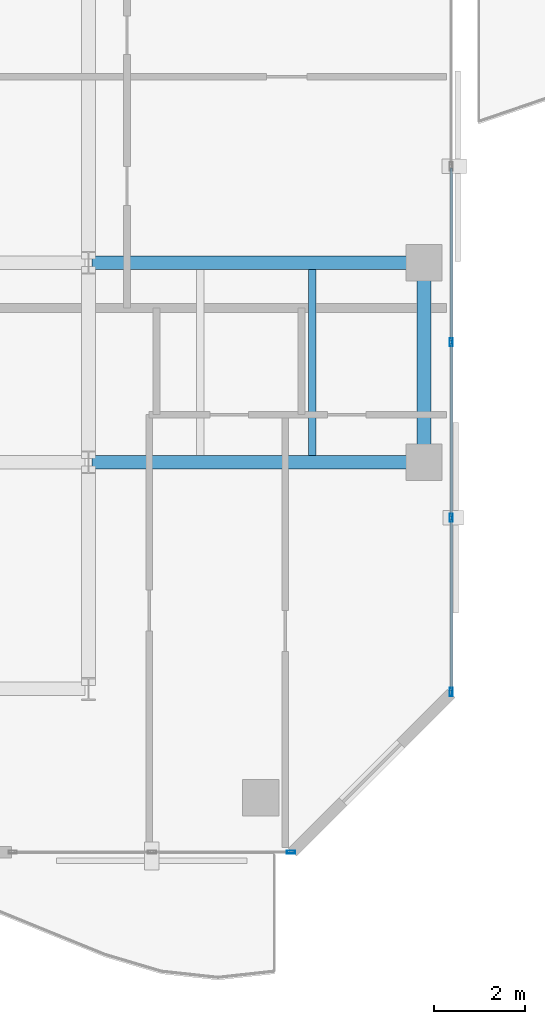
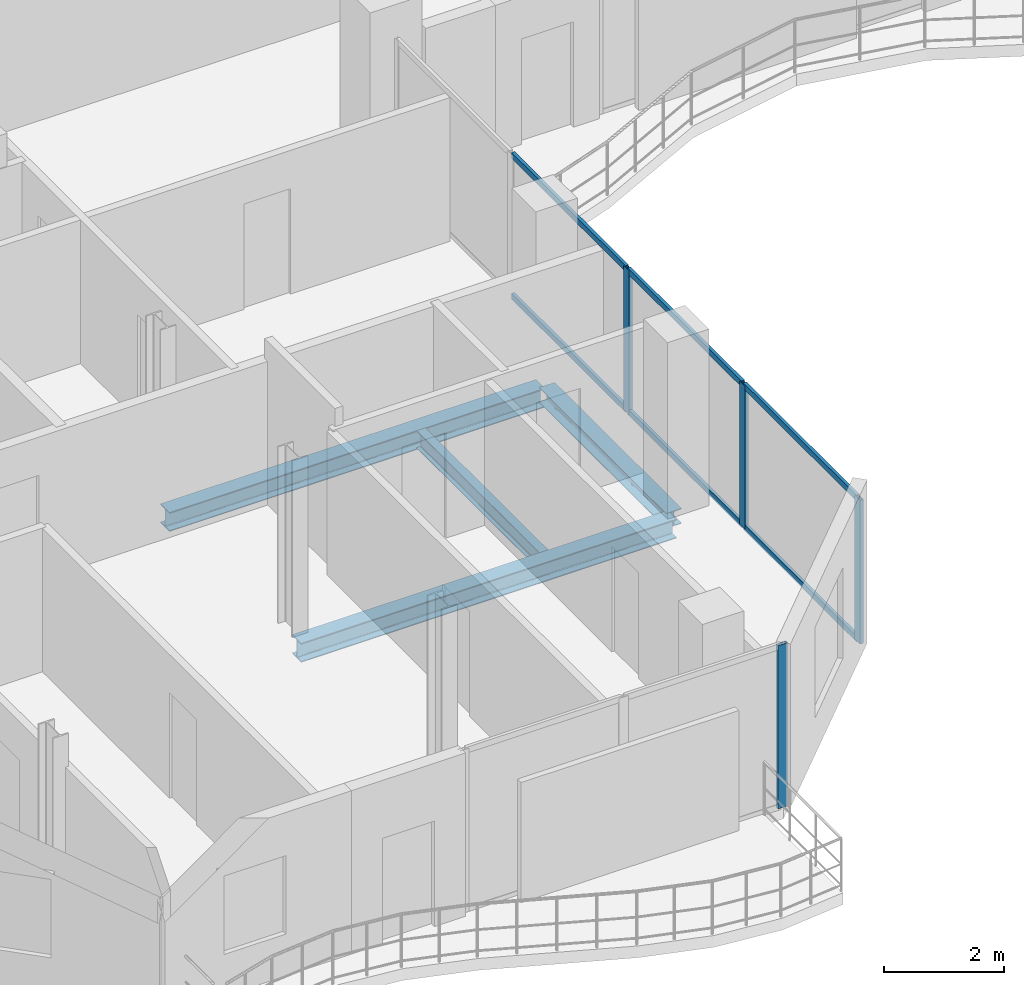
# One storey, part 6 of 23: 10 members, 4 beams, 2 elements without a shape of their own.
"""IFC4 building model written with IfcOpenShell, lengths in metres."""

from ifc_helpers import new_model, si_unit, direction, frame, origin, origin_2d, place, context, subcontext, project, spatial, hollow_rectangle, i_section, extrude, material, layer, layer_set, material_profile, profile_set, type_object, element, aggregate, save


model = new_model("IFC4")

# Units and contexts
model_context = context("Model", 3, precision=1e-05, world=origin(), true_north=direction((0.0, 1.0)))
body_context = subcontext(model_context, "Body", "Model", "MODEL_VIEW")
ifc_project = project(units=[si_unit("LENGTHUNIT", "METRE"), si_unit("AREAUNIT", "SQUARE_METRE"), si_unit("VOLUMEUNIT", "CUBIC_METRE"), si_unit("PLANEANGLEUNIT", "RADIAN"), si_unit("MASSUNIT", "GRAM", prefix="KILO")], contexts=[model_context])

# Site, building, storey
site_placement = place(None, origin())
site = spatial("IfcSite", under=ifc_project, at=site_placement, CompositionType="ELEMENT")
building_placement = place(site_placement, origin())
building = spatial("IfcBuilding", under=site, at=building_placement, Name="Catumbela Crestline Tower", CompositionType="ELEMENT")
storey_placement = place(building_placement, frame((0.0, 0.0, 165.0)))
storey = spatial("IfcBuildingStorey", under=building, at=storey_placement, Name="L42", CompositionType="ELEMENT", Elevation=165.0)

# Beams
ifc_material_1 = material(Name="Structural steel S355J2", Category="steel")
ifc_material_profile_1 = material_profile(ifc_material_1, i_section(OverallWidth=0.3, OverallDepth=0.39, WebThickness=0.011, FlangeThickness=0.019, FilletRadius=0.027, at=origin_2d()), Name="HEA 400")
ifc_profile_set_1 = profile_set([ifc_material_profile_1], Name="Structural steel S355J2")
beam_type_1 = type_object("IfcBeamType", Name="BG-HEA400", PredefinedType="BEAM", material=ifc_profile_set_1)
for number, where, z_axis, x_axis, name in (
    (1, (16.08, 13.6, -0.455), (1.0, 0.0, 0.0), (0.0, 1.0, 0.0), "L42 Beam BM-L42-WEW34"),
    (2, (16.08, 18.0, -0.455), (1.0, 0.0, 0.0), (0.0, 1.0, 0.0), "L42 Beam BM-L42-WEW36"),
):
    element("IfcBeam", number, at=place(storey_placement, frame(where, z_axis=z_axis, x_axis=x_axis)), inside=storey, type_object=beam_type_1, Name=name, PredefinedType="BEAM", context=body_context, shape_type="SweptSolid", body=[
        extrude(i_section(OverallWidth=0.3, OverallDepth=0.39, WebThickness=0.011, FlangeThickness=0.019, FilletRadius=0.027, at=origin_2d()), origin(), (0.0, 0.0, 1.0), 7.24),
    ])
ifc_material_profile_2 = material_profile(ifc_material_1, i_section(OverallWidth=0.17, OverallDepth=0.36, WebThickness=0.008, FlangeThickness=0.0127, FilletRadius=0.018, at=origin_2d()), Name="IPE 360")
ifc_profile_set_2 = profile_set([ifc_material_profile_2], Name="Structural steel S355J2")
beam_type_2 = type_object("IfcBeamType", Name="BJ-IPE360", PredefinedType="JOIST", material=ifc_profile_set_2)
beam_1_placement = place(storey_placement, frame((20.933, 13.747, -0.44), z_axis=(0.0, 1.0, 0.0), x_axis=(-1.0, 0.0, 0.0)))
element("IfcBeam", 3, at=beam_1_placement, inside=storey, type_object=beam_type_2, Name="L42 Joist JS-L42-WG49", PredefinedType="JOIST", context=body_context, shape_type="SweptSolid", body=[
    extrude(i_section(OverallWidth=0.17, OverallDepth=0.36, WebThickness=0.008, FlangeThickness=0.0127, FilletRadius=0.018, at=origin_2d()), origin(), (0.0, 0.0, 1.0), 4.106),
])

# Curtain wall, member
ifc_material_2 = material(Name="Aluminium alloy AW-6060-T66", Category="aluminium")
ifc_layer = layer(ifc_material_2, 0.18, Name="Aluminium alloy AW-6060-T66")
ifc_layer_set = layer_set([ifc_layer], Name="Aluminium alloy AW-6060-T66")
curtain_wall_type = type_object("IfcCurtainWallType", Name="CWU-Z3", PredefinedType="USERDEFINED", material=ifc_layer_set)
curtain_wall_1_placement = place(storey_placement, origin())
curtain_wall_1 = element("IfcCurtainWall", 4, at=curtain_wall_1_placement, inside=storey, type_object=curtain_wall_type, Name="L42 Unitised Curtain Wall CW-L42-E0S2", ObjectType="UNITISED", PredefinedType="USERDEFINED")
ifc_material_profile_3 = material_profile(ifc_material_2, hollow_rectangle(XDim=0.065, YDim=0.18, WallThickness=0.004, at=origin_2d()), Name="ALU 180x65x4")
ifc_profile_set_3 = profile_set([ifc_material_profile_3], Name="Aluminium alloy AW-6060-T66")
member_type_1 = type_object("IfcMemberType", Name="MUL-180X65", PredefinedType="MULLION", material=ifc_profile_set_3)
member_1_placement = place(storey_placement, frame((20.4675, 5.0, 0.0), z_axis=(0.0, 0.0, 1.0), x_axis=(0.0, 1.0, 0.0)))
member_1 = element("IfcMember", 5, at=member_1_placement, type_object=member_type_1, Name="CWU-Z3 mullion 3", PredefinedType="MULLION", context=body_context, shape_type="SweptSolid", body=[
    extrude(hollow_rectangle(XDim=0.065, YDim=0.18, WallThickness=0.004, at=origin_2d()), origin(), (0.0, 0.0, 1.0), 3.33),
])
aggregate(curtain_wall_1, [member_1])

# Curtain wall, members
curtain_wall_2_placement = place(storey_placement, origin())
curtain_wall_2 = element("IfcCurtainWall", 6, at=curtain_wall_2_placement, inside=storey, type_object=curtain_wall_type, Name="L42 Unitised Curtain Wall CW-L42-E2S1", ObjectType="UNITISED", PredefinedType="USERDEFINED")
member_2_placement = place(storey_placement, frame((24.0, 8.5325, 0.0), z_axis=(0.0, 0.0, 1.0), x_axis=(-1.0, 0.0, 0.0)))
member_2 = element("IfcMember", 7, at=member_2_placement, type_object=member_type_1, Name="CWU-Z3 mullion 1", PredefinedType="MULLION", context=body_context, shape_type="SweptSolid", body=[
    extrude(hollow_rectangle(XDim=0.065, YDim=0.18, WallThickness=0.004, at=origin_2d()), origin(), (0.0, 0.0, 1.0), 2.93),
])
member_3_placement = place(storey_placement, frame((24.0, 12.375, 0.0), z_axis=(0.0, 0.0, 1.0), x_axis=(-1.0, 0.0, 0.0)))
member_3 = element("IfcMember", 8, at=member_3_placement, type_object=member_type_1, Name="CWU-Z3 mullion 2", PredefinedType="MULLION", context=body_context, shape_type="SweptSolid", body=[
    extrude(hollow_rectangle(XDim=0.065, YDim=0.18, WallThickness=0.004, at=origin_2d()), origin(), (0.0, 0.0, 1.0), 2.93),
])
member_4_placement = place(storey_placement, frame((24.0, 16.25, 0.0), z_axis=(0.0, 0.0, 1.0), x_axis=(-1.0, 0.0, 0.0)))
member_4 = element("IfcMember", 9, at=member_4_placement, type_object=member_type_1, Name="CWU-Z3 mullion 3", PredefinedType="MULLION", context=body_context, shape_type="SweptSolid", body=[
    extrude(hollow_rectangle(XDim=0.065, YDim=0.18, WallThickness=0.004, at=origin_2d()), origin(), (0.0, 0.0, 1.0), 2.93),
])

# Beam
ifc_material_profile_4 = material_profile(ifc_material_1, i_section(OverallWidth=0.3, OverallDepth=0.31, WebThickness=0.009, FlangeThickness=0.0155, FilletRadius=0.027, at=origin_2d()), Name="HEA 320")
ifc_profile_set_4 = profile_set([ifc_material_profile_4], Name="Structural steel S355J2")
beam_type_3 = type_object("IfcBeamType", Name="BS-HEA320", PredefinedType="SPANDREL", material=ifc_profile_set_4)
beam_2_placement = place(storey_placement, frame((23.4, 13.68, -0.415), z_axis=(0.0, 1.0, 0.0), x_axis=(-1.0, 0.0, 0.0)))
element("IfcBeam", 10, at=beam_2_placement, inside=storey, type_object=beam_type_3, Name="L42 Spandrel SP-L42-WNS43", PredefinedType="SPANDREL", context=body_context, shape_type="SweptSolid", body=[
    extrude(i_section(OverallWidth=0.3, OverallDepth=0.31, WebThickness=0.009, FlangeThickness=0.0155, FilletRadius=0.027, at=origin_2d()), origin(), (0.0, 0.0, 1.0), 4.24),
])

# Member
ifc_material_profile_5 = material_profile(ifc_material_2, hollow_rectangle(XDim=0.06, YDim=0.12, WallThickness=0.0035, at=origin_2d()), Name="ALU 120x60x3.5")
ifc_profile_set_5 = profile_set([ifc_material_profile_5], Name="Aluminium alloy AW-6060-T66")
member_type_2 = type_object("IfcMemberType", Name="TRN-120X60", PredefinedType="USERDEFINED", material=ifc_profile_set_5)
member_5_placement = place(storey_placement, frame((24.0, 8.565, 0.03), z_axis=(0.0, 1.0, 0.0), x_axis=(-1.0, 0.0, 0.0)))
member_5 = element("IfcMember", 11, at=member_5_placement, type_object=member_type_2, Name="CWU-Z3 transom 1.1", ObjectType="TRANSOM", PredefinedType="USERDEFINED", context=body_context, shape_type="SweptSolid", body=[
    extrude(hollow_rectangle(XDim=0.06, YDim=0.12, WallThickness=0.0035, at=origin_2d()), origin(), (0.0, 0.0, 1.0), 3.7775),
])

member_6_placement = place(storey_placement, frame((24.0, 8.565, 2.9), z_axis=(0.0, 1.0, 0.0), x_axis=(-1.0, 0.0, 0.0)))
member_6 = element("IfcMember", 12, at=member_6_placement, type_object=member_type_2, Name="CWU-Z3 transom 1.2", ObjectType="TRANSOM", PredefinedType="USERDEFINED", context=body_context, shape_type="SweptSolid", body=[
    extrude(hollow_rectangle(XDim=0.06, YDim=0.12, WallThickness=0.0035, at=origin_2d()), origin(), (0.0, 0.0, 1.0), 3.7775),
])

member_7_placement = place(storey_placement, frame((24.0, 12.4075, 0.03), z_axis=(0.0, 1.0, 0.0), x_axis=(-1.0, 0.0, 0.0)))
member_7 = element("IfcMember", 13, at=member_7_placement, type_object=member_type_2, Name="CWU-Z3 transom 2.1", ObjectType="TRANSOM", PredefinedType="USERDEFINED", context=body_context, shape_type="SweptSolid", body=[
    extrude(hollow_rectangle(XDim=0.06, YDim=0.12, WallThickness=0.0035, at=origin_2d()), origin(), (0.0, 0.0, 1.0), 3.81),
])

member_8_placement = place(storey_placement, frame((24.0, 12.4075, 2.9), z_axis=(0.0, 1.0, 0.0), x_axis=(-1.0, 0.0, 0.0)))
member_8 = element("IfcMember", 14, at=member_8_placement, type_object=member_type_2, Name="CWU-Z3 transom 2.2", ObjectType="TRANSOM", PredefinedType="USERDEFINED", context=body_context, shape_type="SweptSolid", body=[
    extrude(hollow_rectangle(XDim=0.06, YDim=0.12, WallThickness=0.0035, at=origin_2d()), origin(), (0.0, 0.0, 1.0), 3.81),
])

member_9_placement = place(storey_placement, frame((24.0, 16.2825, 0.03), z_axis=(0.0, 1.0, 0.0), x_axis=(-1.0, 0.0, 0.0)))
member_9 = element("IfcMember", 15, at=member_9_placement, type_object=member_type_2, Name="CWU-Z3 transom 3.1", ObjectType="TRANSOM", PredefinedType="USERDEFINED", context=body_context, shape_type="SweptSolid", body=[
    extrude(hollow_rectangle(XDim=0.06, YDim=0.12, WallThickness=0.0035, at=origin_2d()), origin(), (0.0, 0.0, 1.0), 3.81),
])

member_10_placement = place(storey_placement, frame((24.0, 16.2825, 2.9), z_axis=(0.0, 1.0, 0.0), x_axis=(-1.0, 0.0, 0.0)))
member_10 = element("IfcMember", 16, at=member_10_placement, type_object=member_type_2, Name="CWU-Z3 transom 3.2", ObjectType="TRANSOM", PredefinedType="USERDEFINED", context=body_context, shape_type="SweptSolid", body=[
    extrude(hollow_rectangle(XDim=0.06, YDim=0.12, WallThickness=0.0035, at=origin_2d()), origin(), (0.0, 0.0, 1.0), 3.81),
])

aggregate(curtain_wall_2, [member_2, member_3, member_4, member_5, member_6, member_7, member_8, member_9, member_10])

save(model, "model.ifc")
